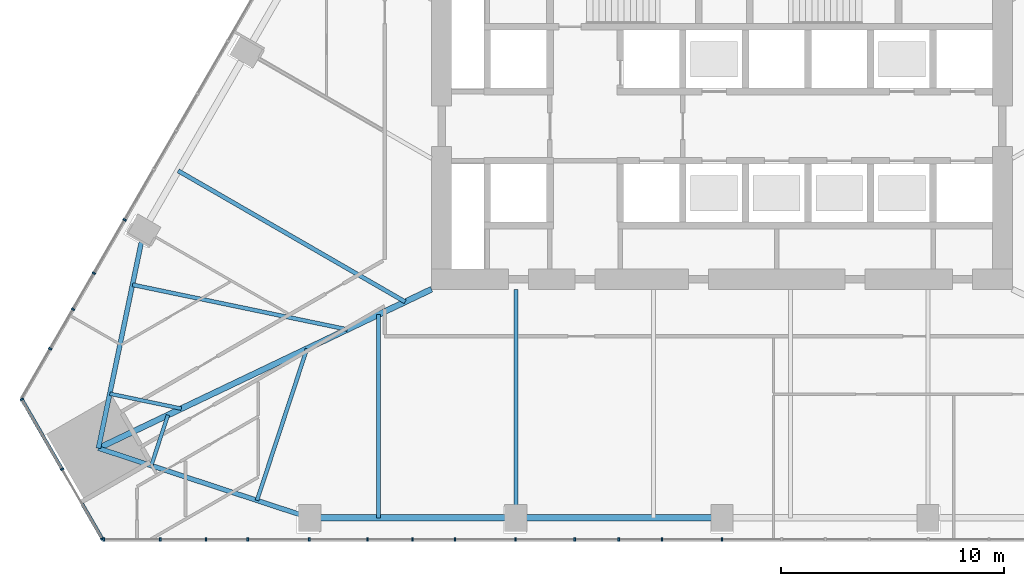
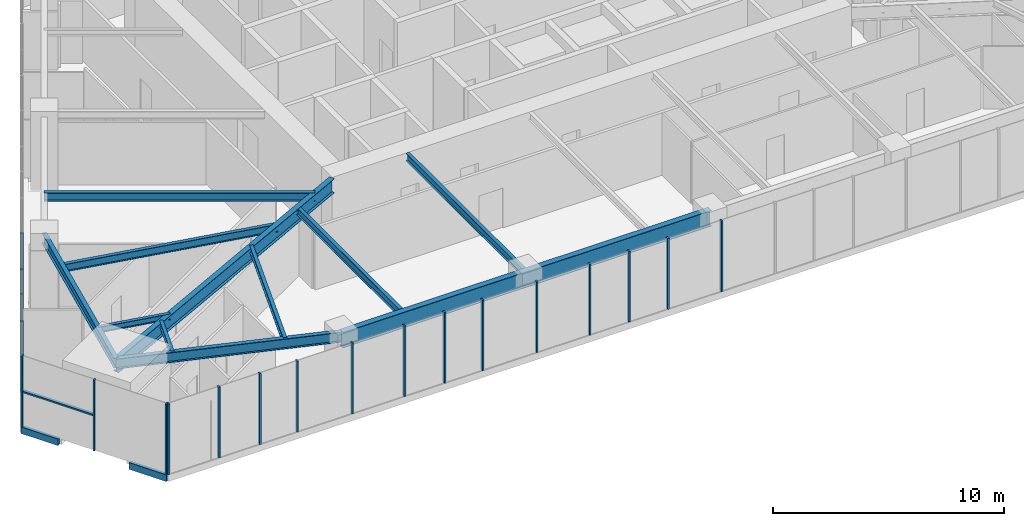
# One storey, part 2 of 19: 23 members, 11 beams, 3 elements without a shape of their own.
"""IFC4 building model written with IfcOpenShell, lengths in metres."""

import ifcopenshell
import ifcopenshell.guid

model = None  # the IFC model being written
_history = None  # IfcOwnerHistory: only IFC2X3 demands one
_inside = {}  # id of a spatial element -> (the spatial element, [elements in it])
_under = {}  # id of a project, library or spatial element -> (it, [spatial elements below it])
_declared = {}  # id of a project -> (the project, [libraries it declares])
_typed = {}  # id of a type object -> (the type object, [elements of that type])
_made_of = {}  # id of a material, layer set ... -> (it, [elements and type objects made of it])


def new_model(schema):
    """Start an empty IFC model of exactly this schema.

    Asked for "IFC4X3", IfcOpenShell would pick the latest addendum, in which some entities
    have other attributes; the version numbers below select the first issue.
    IFC2X3 requires an IfcOwnerHistory on every rooted entity: one is made here for all.
    """
    global model, _history
    if schema == "IFC4X3":
        model = ifcopenshell.file(schema_version=(4, 3, 0, 0))
    else:
        model = ifcopenshell.file(schema=schema)
    _inside.clear()
    _under.clear()
    _declared.clear()
    _typed.clear()
    _made_of.clear()
    _history = None
    if model.schema == "IFC2X3":
        org = make("IfcOrganization", Name="unknown")
        user = make(
            "IfcPersonAndOrganization",
            ThePerson=make("IfcPerson", FamilyName="unknown"),
            TheOrganization=org,
        )
        app = make(
            "IfcApplication",
            ApplicationDeveloper=org,
            Version="unknown",
            ApplicationFullName="unknown",
            ApplicationIdentifier="unknown",
        )
        _history = make(
            "IfcOwnerHistory",
            OwningUser=user,
            OwningApplication=app,
            ChangeAction="ADDED",
            CreationDate=0,
        )
    return model


def make(cls, **values):
    """One entity of the class cls with the attributes given. An attribute that is None is left unset."""
    return model.create_entity(
        cls, **{name: value for name, value in values.items() if value is not None}
    )


def rooted(cls, **values):
    """An entity with a GlobalId (a new one), such as an element, a storey or a relation."""
    return make(cls, GlobalId=ifcopenshell.guid.new(), OwnerHistory=_history, **values)


def si_unit(unit_type, name, prefix=None):
    """IfcSIUnit, for example si_unit("LENGTHUNIT", "METRE", prefix="MILLI")."""
    return make("IfcSIUnit", UnitType=unit_type, Prefix=prefix, Name=name)


def assignment(units):
    """IfcUnitAssignment: the units of a project."""
    return None if units is None else make("IfcUnitAssignment", Units=units)


def point(xyz):
    """IfcCartesianPoint."""
    return None if xyz is None else make("IfcCartesianPoint", Coordinates=xyz)


def direction(xyz):
    """IfcDirection."""
    return None if xyz is None else make("IfcDirection", DirectionRatios=xyz)


def frame(location, z_axis=None, x_axis=None):
    """IfcAxis2Placement3D, a coordinate frame: its origin and axes. An axis left out is left unset."""
    return make(
        "IfcAxis2Placement3D",
        Location=point(location),
        Axis=direction(z_axis),
        RefDirection=direction(x_axis),
    )


def frame_2d(location, x_axis=None):
    """IfcAxis2Placement2D, a coordinate frame in the plane: its origin and x axis."""
    return make(
        "IfcAxis2Placement2D", Location=point(location), RefDirection=direction(x_axis)
    )


def origin():
    """The frame at (0, 0, 0) with its axes left unset."""
    return frame((0.0, 0.0, 0.0))


def origin_2d():
    """The frame at (0, 0) in the plane with its x axis left unset."""
    return frame_2d((0.0, 0.0))


def place(relative_to, where):
    """IfcLocalPlacement: puts the frame where relative to a parent placement (None: the world)."""
    return make(
        "IfcLocalPlacement", PlacementRelTo=relative_to, RelativePlacement=where
    )


def context(
    kind, dimensions, precision=None, world=None, true_north=None, identifier=None
):
    """IfcGeometricRepresentationContext, for example the 3D "Model" context."""
    return make(
        "IfcGeometricRepresentationContext",
        ContextIdentifier=identifier,
        ContextType=kind,
        CoordinateSpaceDimension=dimensions,
        Precision=precision,
        WorldCoordinateSystem=world,
        TrueNorth=true_north,
    )


def subcontext(parent, identifier, kind, view, scale=None):
    """IfcGeometricRepresentationSubContext, for example "Body" below "Model"."""
    return make(
        "IfcGeometricRepresentationSubContext",
        ContextIdentifier=identifier,
        ContextType=kind,
        ParentContext=parent,
        TargetScale=scale,
        TargetView=view,
    )


def project(units=None, contexts=None):
    """IfcProject with its units and contexts."""
    return rooted(
        "IfcProject",
        Name="project",
        RepresentationContexts=contexts,
        UnitsInContext=assignment(units),
    )


def spatial(cls, under=None, at=None, **own):
    """A site, building, storey or space (cls), placed at a placement, below another one or the project."""
    s = rooted(cls, ObjectPlacement=at, **own)
    if under is not None:
        _under.setdefault(under.id(), (under, []))[1].append(s)
    return s


def profile(cls, at=None, kind="AREA", **sizes):
    """A parametric profile (cls). Its sizes go by their IFC names, for example OverallWidth=200.0."""
    return make(cls, ProfileType=kind, Position=at, **sizes)


def rectangle(**sizes):
    """IfcRectangleProfileDef."""
    return profile("IfcRectangleProfileDef", **sizes)


def i_section(**sizes):
    """IfcIShapeProfileDef."""
    return profile("IfcIShapeProfileDef", **sizes)


def extrude(swept, where, along, depth):
    """IfcExtrudedAreaSolid: the profile swept, set in the frame where, extruded along a direction by depth."""
    return make(
        "IfcExtrudedAreaSolid",
        SweptArea=swept,
        Position=where,
        ExtrudedDirection=direction(along),
        Depth=depth,
    )


def shape(context_of_items, identifier, shape_type, items):
    """IfcShapeRepresentation: the items that make up one representation, for example the "Body"."""
    return make(
        "IfcShapeRepresentation",
        ContextOfItems=context_of_items,
        RepresentationIdentifier=identifier,
        RepresentationType=shape_type,
        Items=items,
    )


def material(Name=None, Category=None):
    """IfcMaterial."""
    return make("IfcMaterial", Name=Name, Category=Category)


def layer(
    of_material, thickness, ventilated=None, Name=None, Category=None, Priority=None
):
    """IfcMaterialLayer: one layer of a wall or slab, of a material (None: an air gap)."""
    return make(
        "IfcMaterialLayer",
        Material=of_material,
        LayerThickness=thickness,
        IsVentilated=ventilated,
        Name=Name,
        Category=Category,
        Priority=Priority,
    )


def layer_set(layers, Name=None):
    """IfcMaterialLayerSet."""
    return make("IfcMaterialLayerSet", MaterialLayers=layers, LayerSetName=Name)


def material_profile(
    of_material, cross_section, Name=None, Category=None, Priority=None
):
    """IfcMaterialProfile: a cross section and its material."""
    return make(
        "IfcMaterialProfile",
        Name=Name,
        Material=of_material,
        Profile=cross_section,
        Priority=Priority,
        Category=Category,
    )


def profile_set(profiles, Name=None, composite=None):
    """IfcMaterialProfileSet."""
    return make(
        "IfcMaterialProfileSet",
        Name=Name,
        MaterialProfiles=profiles,
        CompositeProfile=composite,
    )


def made_of(thing, what):
    """Note that an element or type object is made of a material, layer set ...; save() writes the relation."""
    if what is not None:
        _made_of.setdefault(what.id(), (what, []))[1].append(thing)
    return thing


def type_object(cls, material=None, **own):
    """A type object (cls), such as IfcWallType, which elements share."""
    return made_of(rooted(cls, **own), material)


def element(
    cls,
    number,
    at=None,
    inside=None,
    cuts=None,
    type_object=None,
    material=None,
    context=None,
    identifier="Body",
    shape_type=None,
    held_by="IfcProductDefinitionShape",
    body=None,
    shapes=None,
    **own,
):
    """One element of the class cls, such as IfcWall. Its Tag is "e" and its number.

    at: its placement. inside: the storey or other place that contains it. cuts: it is an
    opening in that element (IfcRelVoidsElement). A single representation is given by context,
    identifier, shape_type and body (its items); several are given by shapes. held_by: the class
    of the entity that holds the representations. save() writes the other relations.
    """
    e = rooted(cls, Tag="e%d" % number, ObjectPlacement=at, **own)
    if body is not None:
        shapes = [shape(context, identifier, shape_type, body)]
    if shapes is not None:
        e.Representation = make(held_by, Representations=shapes)
    if inside is not None:
        _inside.setdefault(inside.id(), (inside, []))[1].append(e)
    if cuts is not None:
        rooted(
            "IfcRelVoidsElement", RelatingBuildingElement=cuts, RelatedOpeningElement=e
        )
    if type_object is not None:
        _typed.setdefault(type_object.id(), (type_object, []))[1].append(e)
    return made_of(e, material)


def aggregate(whole, parts):
    """IfcRelAggregates: a whole, such as a stair, and the parts it consists of."""
    return rooted("IfcRelAggregates", RelatingObject=whole, RelatedObjects=parts)


def save(model, path):
    """Write the relations noted so far, then the file.

    IfcRelAggregates (storeys below a building ...), IfcRelContainedInSpatialStructure (elements
    in a storey), IfcRelDefinesByType, IfcRelAssociatesMaterial and IfcRelDeclares: one each for
    every whole, place, type object, material and project.
    """
    for whole, parts in _under.values():
        aggregate(whole, parts)
    for where, things in _inside.values():
        rooted(
            "IfcRelContainedInSpatialStructure",
            RelatedElements=things,
            RelatingStructure=where,
        )
    for kind, things in _typed.values():
        rooted("IfcRelDefinesByType", RelatedObjects=things, RelatingType=kind)
    for what, things in _made_of.values():
        rooted("IfcRelAssociatesMaterial", RelatedObjects=things, RelatingMaterial=what)
    for by, libraries in _declared.values():
        rooted("IfcRelDeclares", RelatingContext=by, RelatedDefinitions=libraries)
    model.write(path)


model = new_model("IFC4")

# Units and contexts
model_context = context("Model", 3, precision=1e-05, world=origin(), true_north=direction((0.0, 1.0)))
body_context = subcontext(model_context, "Body", "Model", "MODEL_VIEW")
ifc_project = project(units=[si_unit("LENGTHUNIT", "METRE"), si_unit("AREAUNIT", "SQUARE_METRE"), si_unit("VOLUMEUNIT", "CUBIC_METRE"), si_unit("PLANEANGLEUNIT", "RADIAN"), si_unit("MASSUNIT", "GRAM", prefix="KILO")], contexts=[model_context])

# Site, building, storey
site_placement = place(None, origin())
site = spatial("IfcSite", under=ifc_project, at=site_placement, CompositionType="ELEMENT")
building_placement = place(site_placement, origin())
building = spatial("IfcBuilding", under=site, at=building_placement, Name="Firuza Gate Tower and Library", CompositionType="ELEMENT")
storey_placement = place(building_placement, frame((0.0, 0.0, 136.60009765625)))
storey = spatial("IfcBuildingStorey", under=building, at=storey_placement, Name="L31", CompositionType="ELEMENT", Elevation=136.60009765625)

# Curtain wall, members
ifc_material_1 = material(Name="Aluminium 6063-T6", Category="aluminium")
ifc_layer_1 = layer(ifc_material_1, 0.14990234375)
ifc_layer_set_1 = layer_set([ifc_layer_1], Name="Unitised curtain wall, offices")
curtain_wall_type_1 = type_object("IfcCurtainWallType", Name="Unitised curtain wall, offices", PredefinedType="NOTDEFINED", material=ifc_layer_set_1)
placement = place(storey_placement, origin())
curtain_wall_1 = element("IfcCurtainWall", 1, at=placement, inside=storey, type_object=curtain_wall_type_1, Name="CW1 L31 S face", PredefinedType="NOTDEFINED")
ifc_material_2 = material(Name="Aluminium 6063-T6", Category="aluminium")
ifc_material_profile_1 = material_profile(ifc_material_2, rectangle(XDim=0.14990234375, YDim=0.080078125, at=origin_2d()))
ifc_profile_set_1 = profile_set([ifc_material_profile_1], Name="Aluminium 6063-T6")
member_type_1 = type_object("IfcMemberType", Name="Curtain wall mullion 80x150", PredefinedType="MULLION", material=ifc_profile_set_1)
member_1_placement = place(storey_placement, frame((47.327392578125, 54.793212890625, 0.14990234375), z_axis=(0.0, 0.0, 1.0), x_axis=(0.0, 1.0, 0.0)))
member_1 = element("IfcMember", 2, at=member_1_placement, type_object=member_type_1, Name="Mullion", PredefinedType="MULLION", context=body_context, shape_type="SweptSolid", body=[
    extrude(rectangle(XDim=0.14990234375, YDim=0.080078125, at=origin_2d()), origin(), (0.0, 0.0, 1.0), 3.75),
])
member_2_placement = place(storey_placement, frame((51.906005859375, 54.793212890625, 0.14990234375), z_axis=(0.0, 0.0, 1.0), x_axis=(0.0, 1.0, 0.0)))
member_2 = element("IfcMember", 3, at=member_2_placement, type_object=member_type_1, Name="Mullion", PredefinedType="MULLION", context=body_context, shape_type="SweptSolid", body=[
    extrude(rectangle(XDim=0.14990234375, YDim=0.080078125, at=origin_2d()), origin(), (0.0, 0.0, 1.0), 3.75),
])
member_3_placement = place(storey_placement, frame((56.52490234375, 54.793212890625, 0.14990234375), z_axis=(0.0, 0.0, 1.0), x_axis=(0.0, 1.0, 0.0)))
member_3 = element("IfcMember", 4, at=member_3_placement, type_object=member_type_1, Name="Mullion", PredefinedType="MULLION", context=body_context, shape_type="SweptSolid", body=[
    extrude(rectangle(XDim=0.14990234375, YDim=0.080078125, at=origin_2d()), origin(), (0.0, 0.0, 1.0), 3.75),
])
member_4_placement = place(storey_placement, frame((61.1435546875, 54.793212890625, 0.14990234375), z_axis=(0.0, 0.0, 1.0), x_axis=(0.0, 1.0, 0.0)))
member_4 = element("IfcMember", 5, at=member_4_placement, type_object=member_type_1, Name="Mullion", PredefinedType="MULLION", context=body_context, shape_type="SweptSolid", body=[
    extrude(rectangle(XDim=0.14990234375, YDim=0.080078125, at=origin_2d()), origin(), (0.0, 0.0, 1.0), 3.75),
])
member_5_placement = place(storey_placement, frame((65.762451171875, 54.793212890625, 0.14990234375), z_axis=(0.0, 0.0, 1.0), x_axis=(0.0, 1.0, 0.0)))
member_5 = element("IfcMember", 6, at=member_5_placement, type_object=member_type_1, Name="Mullion", PredefinedType="MULLION", context=body_context, shape_type="SweptSolid", body=[
    extrude(rectangle(XDim=0.14990234375, YDim=0.080078125, at=origin_2d()), origin(), (0.0, 0.0, 1.0), 3.75),
])
member_6_placement = place(storey_placement, frame((70.381103515625, 54.793212890625, 0.14990234375), z_axis=(0.0, 0.0, 1.0), x_axis=(0.0, 1.0, 0.0)))
member_6 = element("IfcMember", 7, at=member_6_placement, type_object=member_type_1, Name="Mullion", PredefinedType="MULLION", context=body_context, shape_type="SweptSolid", body=[
    extrude(rectangle(XDim=0.14990234375, YDim=0.080078125, at=origin_2d()), origin(), (0.0, 0.0, 1.0), 3.75),
])
member_7_placement = place(storey_placement, frame((75.0, 54.793212890625, 0.14990234375), z_axis=(0.0, 0.0, 1.0), x_axis=(0.0, 1.0, 0.0)))
member_7 = element("IfcMember", 8, at=member_7_placement, type_object=member_type_1, Name="Mullion", PredefinedType="MULLION", context=body_context, shape_type="SweptSolid", body=[
    extrude(rectangle(XDim=0.14990234375, YDim=0.080078125, at=origin_2d()), origin(), (0.0, 0.0, 1.0), 3.75),
])
member_8_placement = place(storey_placement, frame((49.86328125, 54.793212890625, 0.14990234375), z_axis=(0.0, 0.0, 1.0), x_axis=(0.0, 1.0, 0.0)))
member_8 = element("IfcMember", 9, at=member_8_placement, type_object=member_type_1, Name="Mullion", PredefinedType="MULLION", context=body_context, shape_type="SweptSolid", body=[
    extrude(rectangle(XDim=0.14990234375, YDim=0.080078125, at=origin_2d()), origin(), (0.0, 0.0, 1.0), 3.75),
])
member_9_placement = place(storey_placement, frame((53.775390625, 54.793212890625, 0.14990234375), z_axis=(0.0, 0.0, 1.0), x_axis=(0.0, 1.0, 0.0)))
member_9 = element("IfcMember", 10, at=member_9_placement, type_object=member_type_1, Name="Mullion", PredefinedType="MULLION", context=body_context, shape_type="SweptSolid", body=[
    extrude(rectangle(XDim=0.14990234375, YDim=0.080078125, at=origin_2d()), origin(), (0.0, 0.0, 1.0), 3.75),
])
member_10_placement = place(storey_placement, frame((59.135498046875, 54.793212890625, 0.14990234375), z_axis=(0.0, 0.0, 1.0), x_axis=(0.0, 1.0, 0.0)))
member_10 = element("IfcMember", 11, at=member_10_placement, type_object=member_type_1, Name="Mullion", PredefinedType="MULLION", context=body_context, shape_type="SweptSolid", body=[
    extrude(rectangle(XDim=0.14990234375, YDim=0.080078125, at=origin_2d()), origin(), (0.0, 0.0, 1.0), 3.75),
])
member_11_placement = place(storey_placement, frame((63.047607421875, 54.793212890625, 0.14990234375), z_axis=(0.0, 0.0, 1.0), x_axis=(0.0, 1.0, 0.0)))
member_11 = element("IfcMember", 12, at=member_11_placement, type_object=member_type_1, Name="Mullion", PredefinedType="MULLION", context=body_context, shape_type="SweptSolid", body=[
    extrude(rectangle(XDim=0.14990234375, YDim=0.080078125, at=origin_2d()), origin(), (0.0, 0.0, 1.0), 3.75),
])
member_12_placement = place(storey_placement, frame((68.40771484375, 54.793212890625, 0.14990234375), z_axis=(0.0, 0.0, 1.0), x_axis=(0.0, 1.0, 0.0)))
member_12 = element("IfcMember", 13, at=member_12_placement, type_object=member_type_1, Name="Mullion", PredefinedType="MULLION", context=body_context, shape_type="SweptSolid", body=[
    extrude(rectangle(XDim=0.14990234375, YDim=0.080078125, at=origin_2d()), origin(), (0.0, 0.0, 1.0), 3.75),
])
member_13_placement = place(storey_placement, frame((72.320068359375, 54.793212890625, 0.14990234375), z_axis=(0.0, 0.0, 1.0), x_axis=(0.0, 1.0, 0.0)))
member_13 = element("IfcMember", 14, at=member_13_placement, type_object=member_type_1, Name="Mullion", PredefinedType="MULLION", context=body_context, shape_type="SweptSolid", body=[
    extrude(rectangle(XDim=0.14990234375, YDim=0.080078125, at=origin_2d()), origin(), (0.0, 0.0, 1.0), 3.75),
])
aggregate(curtain_wall_1, [member_1, member_2, member_3, member_4, member_5, member_6, member_7, member_8, member_9, member_10, member_11, member_12, member_13])

curtain_wall_2 = element("IfcCurtainWall", 15, at=placement, inside=storey, type_object=curtain_wall_type_1, Name="CW1 L31 W face", PredefinedType="NOTDEFINED")
member_14_placement = place(storey_placement, frame((48.2626953125, 69.103515625, 0.14990234375), z_axis=(0.0, 0.0, 1.0), x_axis=(0.866025403784, -0.5, 0.0)))
member_14 = element("IfcMember", 16, at=member_14_placement, type_object=member_type_1, Name="Mullion", PredefinedType="MULLION", context=body_context, shape_type="SweptSolid", body=[
    extrude(rectangle(XDim=0.14990234375, YDim=0.080078125, at=origin_2d()), origin(), (0.0, 0.0, 1.0), 3.75),
])
member_15_placement = place(storey_placement, frame((45.953369140625, 65.103515625, 0.14990234375), z_axis=(0.0, 0.0, 1.0), x_axis=(0.866025403784, -0.5, 0.0)))
member_15 = element("IfcMember", 17, at=member_15_placement, type_object=member_type_1, Name="Mullion", PredefinedType="MULLION", context=body_context, shape_type="SweptSolid", body=[
    extrude(rectangle(XDim=0.14990234375, YDim=0.080078125, at=origin_2d()), origin(), (0.0, 0.0, 1.0), 3.75),
])
member_16_placement = place(storey_placement, frame((46.887939453125, 66.722412109375, 0.14990234375), z_axis=(0.0, 0.0, 1.0), x_axis=(0.866025403784, -0.5, 0.0)))
member_16 = element("IfcMember", 18, at=member_16_placement, type_object=member_type_1, Name="Mullion", PredefinedType="MULLION", context=body_context, shape_type="SweptSolid", body=[
    extrude(rectangle(XDim=0.14990234375, YDim=0.080078125, at=origin_2d()), origin(), (0.0, 0.0, 1.0), 3.75),
])
member_17_placement = place(storey_placement, frame((44.931884765625, 63.334228515625, 0.14990234375), z_axis=(0.0, 0.0, 1.0), x_axis=(0.866025403784, -0.5, 0.0)))
member_17 = element("IfcMember", 19, at=member_17_placement, type_object=member_type_1, Name="Mullion", PredefinedType="MULLION", context=body_context, shape_type="SweptSolid", body=[
    extrude(rectangle(XDim=0.14990234375, YDim=0.080078125, at=origin_2d()), origin(), (0.0, 0.0, 1.0), 3.75),
])
aggregate(curtain_wall_2, [member_14, member_15, member_16, member_17])

ifc_material_3 = material(Name="Aluminium 6063-T6", Category="aluminium")
ifc_layer_2 = layer(ifc_material_3, 0.14990234375)
ifc_layer_set_2 = layer_set([ifc_layer_2], Name="Corner curtain wall, chamfers")
curtain_wall_type_2 = type_object("IfcCurtainWallType", Name="Corner curtain wall, chamfers", PredefinedType="NOTDEFINED", material=ifc_layer_set_2)
curtain_wall_3 = element("IfcCurtainWall", 20, at=placement, inside=storey, type_object=curtain_wall_type_2, Name="CW4 L31 SW corner", PredefinedType="NOTDEFINED")
member_18_placement = place(storey_placement, frame((43.6640625, 61.06884765625, 0.14990234375), z_axis=(0.0, 0.0, 1.0), x_axis=(0.866025403784, 0.5, 0.0)))
member_18 = element("IfcMember", 21, at=member_18_placement, type_object=member_type_1, Name="Mullion", PredefinedType="MULLION", context=body_context, shape_type="SweptSolid", body=[
    extrude(rectangle(XDim=0.14990234375, YDim=0.080078125, at=origin_2d()), origin(), (0.0, 0.0, 1.0), 3.75),
])
member_19_placement = place(storey_placement, frame((45.465576171875, 57.9482421875, 0.14990234375), z_axis=(0.0, 0.0, 1.0), x_axis=(0.866025403784, 0.5, 0.0)))
member_19 = element("IfcMember", 22, at=member_19_placement, type_object=member_type_1, Name="Mullion", PredefinedType="MULLION", context=body_context, shape_type="SweptSolid", body=[
    extrude(rectangle(XDim=0.14990234375, YDim=0.080078125, at=origin_2d()), origin(), (0.0, 0.0, 1.0), 3.75),
])
member_20_placement = place(storey_placement, frame((47.267333984375, 54.827880859375, 0.14990234375), z_axis=(0.0, 0.0, 1.0), x_axis=(0.866025403784, 0.5, 0.0)))
member_20 = element("IfcMember", 23, at=member_20_placement, type_object=member_type_1, Name="Mullion", PredefinedType="MULLION", context=body_context, shape_type="SweptSolid", body=[
    extrude(rectangle(XDim=0.14990234375, YDim=0.080078125, at=origin_2d()), origin(), (0.0, 0.0, 1.0), 3.75),
])
ifc_material_4 = material(Name="Aluminium 6063-T6", Category="aluminium")
ifc_material_profile_2 = material_profile(ifc_material_4, rectangle(XDim=0.14990234375, YDim=0.35009765625, at=origin_2d()))
ifc_profile_set_2 = profile_set([ifc_material_profile_2], Name="Aluminium 6063-T6")
member_type_2 = type_object("IfcMemberType", Name="Curtain wall transom 350x150", PredefinedType="USERDEFINED", material=ifc_profile_set_2)
member_21_placement = place(storey_placement, frame((43.64404296875, 61.103515625, -0.025146484375), z_axis=(0.499971966783, -0.866041588165, 0.0), x_axis=(0.866041588165, 0.499971966783, 0.0)))
member_21 = element("IfcMember", 24, at=member_21_placement, type_object=member_type_2, Name="Transom", ObjectType="TRANSOM", PredefinedType="USERDEFINED", context=body_context, shape_type="SweptSolid", body=[
    extrude(rectangle(XDim=0.14990234375, YDim=0.35009765625, at=origin_2d()), origin(), (0.0, 0.0, 1.0), 1.86328125),
])
member_22_placement = place(storey_placement, frame((46.35546875, 56.406982421875, -0.025146484375), z_axis=(0.500070225731, -0.865984855143, 0.0), x_axis=(0.865984855143, 0.500070225731, 0.0)))
member_22 = element("IfcMember", 25, at=member_22_placement, type_object=member_type_2, Name="Transom", ObjectType="TRANSOM", PredefinedType="USERDEFINED", context=body_context, shape_type="SweptSolid", body=[
    extrude(rectangle(XDim=0.14990234375, YDim=0.35009765625, at=origin_2d()), origin(), (0.0, 0.0, 1.0), 1.863525390625),
])
ifc_material_5 = material(Name="Aluminium 6063-T6", Category="aluminium")
ifc_material_profile_3 = material_profile(ifc_material_5, rectangle(XDim=0.14990234375, YDim=0.080078125, at=origin_2d()))
ifc_profile_set_3 = profile_set([ifc_material_profile_3], Name="Aluminium 6063-T6")
member_type_3 = type_object("IfcMemberType", Name="Curtain wall transom 80x150", PredefinedType="USERDEFINED", material=ifc_profile_set_3)
member_23_placement = place(storey_placement, frame((43.6640625, 61.06884765625, 2.02490234375), z_axis=(0.49996364809, -0.866046390552, 0.0), x_axis=(0.866046390552, 0.49996364809, 0.0)))
member_23 = element("IfcMember", 26, at=member_23_placement, type_object=member_type_3, Name="Transom", ObjectType="TRANSOM", PredefinedType="USERDEFINED", context=body_context, shape_type="SweptSolid", body=[
    extrude(rectangle(XDim=0.14990234375, YDim=0.080078125, at=origin_2d()), origin(), (0.0, 0.0, 1.0), 3.563232421875),
])
aggregate(curtain_wall_3, [member_18, member_19, member_20, member_21, member_22, member_23])

# Beams
ifc_material_6 = material(Name="Steel S355", Category="steel")
ifc_material_profile_4 = material_profile(ifc_material_6, i_section(OverallWidth=0.1650390625, OverallDepth=0.31005859375, WebThickness=0.005859375, FlangeThickness=0.009765625, at=origin_2d()))
ifc_profile_set_4 = profile_set([ifc_material_profile_4], Name="Steel S355")
beam_type_1 = type_object("IfcBeamType", Name="W310x39 Floor beam", PredefinedType="JOIST", material=ifc_profile_set_4)
beam_1_placement = place(storey_placement, frame((47.597412109375, 61.32470703125, 3.744873046875), z_axis=(0.978986004268, -0.203927446527, 0.0), x_axis=(0.203927446527, 0.978986004268, 0.0)))
element("IfcBeam", 27, at=beam_1_placement, inside=storey, type_object=beam_type_1, Name="Floor beam L31 s01", PredefinedType="JOIST", context=body_context, shape_type="SweptSolid", body=[
    extrude(i_section(OverallWidth=0.1650390625, OverallDepth=0.31005859375, WebThickness=0.005859375, FlangeThickness=0.009765625, at=origin_2d()), origin(), (0.0, 0.0, 1.0), 3.273193359375),
])
beam_2_placement = place(storey_placement, frame((49.45556640625, 58.1064453125, 3.744873046875), z_axis=(0.312876835731, 0.949793706898, 0.0), x_axis=(-0.949793706898, 0.312876835731, 0.0)))
element("IfcBeam", 28, at=beam_2_placement, inside=storey, type_object=beam_type_1, Name="Floor beam L31 s10", PredefinedType="JOIST", context=body_context, shape_type="SweptSolid", body=[
    extrude(i_section(OverallWidth=0.1650390625, OverallDepth=0.31005859375, WebThickness=0.005859375, FlangeThickness=0.009765625, at=origin_2d()), origin(), (0.0, 0.0, 1.0), 2.3837890625),
])
ifc_material_7 = material(Name="Steel S355", Category="steel")
ifc_material_profile_5 = material_profile(ifc_material_7, i_section(OverallWidth=0.1708984375, OverallDepth=0.35498046875, WebThickness=0.007080078125, FlangeThickness=0.01171875, at=origin_2d()))
ifc_profile_set_5 = profile_set([ifc_material_profile_5], Name="Steel S355")
beam_type_2 = type_object("IfcBeamType", Name="W360x51 Floor beam", PredefinedType="JOIST", material=ifc_profile_set_5)
beam_3_placement = place(storey_placement, frame((54.187744140625, 56.547607421875, 3.722412109375), z_axis=(0.312876835731, 0.949793706898, 0.0), x_axis=(-0.949793706898, 0.312876835731, 0.0)))
element("IfcBeam", 29, at=beam_3_placement, inside=storey, type_object=beam_type_2, Name="Floor beam L31 s11", PredefinedType="JOIST", context=body_context, shape_type="SweptSolid", body=[
    extrude(i_section(OverallWidth=0.1708984375, OverallDepth=0.35498046875, WebThickness=0.007080078125, FlangeThickness=0.01171875, at=origin_2d()), origin(), (0.0, 0.0, 1.0), 7.151611328125),
])
ifc_material_8 = material(Name="Steel S355", Category="steel")
ifc_material_profile_6 = material_profile(ifc_material_8, i_section(OverallWidth=0.177978515625, OverallDepth=0.406982421875, WebThickness=0.0078125, FlangeThickness=0.0126953125, at=origin_2d()))
ifc_profile_set_6 = profile_set([ifc_material_profile_6], Name="Steel S355")
beam_type_3 = type_object("IfcBeamType", Name="W410x60 Floor beam", PredefinedType="JOIST", material=ifc_profile_set_6)
beam_4_placement = place(storey_placement, frame((48.613525390625, 66.2021484375, 3.6962890625), z_axis=(0.978986004268, -0.203927446527, 0.0), x_axis=(0.203927446527, 0.978986004268, 0.0)))
element("IfcBeam", 30, at=beam_4_placement, inside=storey, type_object=beam_type_3, Name="Floor beam L31 s00", PredefinedType="JOIST", context=body_context, shape_type="SweptSolid", body=[
    extrude(i_section(OverallWidth=0.177978515625, OverallDepth=0.406982421875, WebThickness=0.0078125, FlangeThickness=0.0126953125, at=origin_2d()), origin(), (0.0, 0.0, 1.0), 9.8193359375),
])
beam_5_placement = place(storey_placement, frame((59.628173828125, 55.76806640625, 3.6962890625), z_axis=(0.0, 1.0, 0.0), x_axis=(-1.0, 0.0, 0.0)))
element("IfcBeam", 31, at=beam_5_placement, inside=storey, type_object=beam_type_3, Name="Floor beam L31 s20", PredefinedType="JOIST", context=body_context, shape_type="SweptSolid", body=[
    extrude(i_section(OverallWidth=0.177978515625, OverallDepth=0.406982421875, WebThickness=0.0078125, FlangeThickness=0.0126953125, at=origin_2d()), origin(), (0.0, 0.0, 1.0), 9.100341796875),
])
beam_6_placement = place(storey_placement, frame((65.77685546875, 55.76806640625, 3.6962890625), z_axis=(0.0, 1.0, 0.0), x_axis=(-1.0, 0.0, 0.0)))
element("IfcBeam", 32, at=beam_6_placement, inside=storey, type_object=beam_type_3, Name="Floor beam L31 s21", PredefinedType="JOIST", context=body_context, shape_type="SweptSolid", body=[
    extrude(i_section(OverallWidth=0.177978515625, OverallDepth=0.406982421875, WebThickness=0.0078125, FlangeThickness=0.0126953125, at=origin_2d()), origin(), (0.0, 0.0, 1.0), 10.23193359375),
])
ifc_material_9 = material(Name="Steel S355", Category="steel")
ifc_material_profile_7 = material_profile(ifc_material_9, i_section(OverallWidth=0.18994140625, OverallDepth=0.45703125, WebThickness=0.009033203125, FlangeThickness=0.014404296875, at=origin_2d()))
ifc_profile_set_7 = profile_set([ifc_material_profile_7], Name="Steel S355")
beam_type_4 = type_object("IfcBeamType", Name="W460x74 Floor beam", PredefinedType="JOIST", material=ifc_profile_set_7)
beam_7_placement = place(storey_placement, frame((50.65869140625, 71.303466796875, 3.67138671875), z_axis=(0.866028270824, -0.499995034109, 0.0), x_axis=(0.499995034109, 0.866028270824, 0.0)))
element("IfcBeam", 33, at=beam_7_placement, inside=storey, type_object=beam_type_4, Name="Floor beam L31 s85", PredefinedType="JOIST", context=body_context, shape_type="SweptSolid", body=[
    extrude(i_section(OverallWidth=0.18994140625, OverallDepth=0.45703125, WebThickness=0.009033203125, FlangeThickness=0.014404296875, at=origin_2d()), origin(), (0.0, 0.0, 1.0), 11.73291015625),
])
ifc_material_10 = material(Name="Steel S355", Category="steel")
ifc_material_profile_8 = material_profile(ifc_material_10, i_section(OverallWidth=0.212890625, OverallDepth=0.5390625, WebThickness=0.01171875, FlangeThickness=0.018798828125, at=origin_2d()))
ifc_profile_set_8 = profile_set([ifc_material_profile_8], Name="Steel S355")
beam_type_5 = type_object("IfcBeamType", Name="W530x109 Edge beam", PredefinedType="SPANDREL", material=ifc_profile_set_8)
beam_8_placement = place(storey_placement, frame((49.12158203125, 68.64111328125, 3.63037109375), z_axis=(-0.203940556749, -0.978983273255, 0.0), x_axis=(0.978983273255, -0.203940556749, 0.0)))
element("IfcBeam", 34, at=beam_8_placement, inside=storey, type_object=beam_type_5, Name="Edge beam L31 e00", PredefinedType="SPANDREL", context=body_context, shape_type="SweptSolid", body=[
    extrude(i_section(OverallWidth=0.212890625, OverallDepth=0.5390625, WebThickness=0.01171875, FlangeThickness=0.018798828125, at=origin_2d()), origin(), (0.0, 0.0, 1.0), 9.96484375),
])
beam_9_placement = place(storey_placement, frame((47.08935546875, 58.8857421875, 3.63037109375), z_axis=(0.949794609737, -0.312874094989, 0.0), x_axis=(0.312874094989, 0.949794609737, 0.0)))
element("IfcBeam", 35, at=beam_9_placement, inside=storey, type_object=beam_type_5, Name="Edge beam L31 e10", PredefinedType="SPANDREL", context=body_context, shape_type="SweptSolid", body=[
    extrude(i_section(OverallWidth=0.212890625, OverallDepth=0.5390625, WebThickness=0.01171875, FlangeThickness=0.018798828125, at=origin_2d()), origin(), (0.0, 0.0, 1.0), 9.964599609375),
])
ifc_material_11 = material(Name="Steel S355", Category="steel")
ifc_material_profile_9 = material_profile(ifc_material_11, i_section(OverallWidth=0.264892578125, OverallDepth=0.7529296875, WebThickness=0.01318359375, FlangeThickness=0.01708984375, at=origin_2d()))
ifc_profile_set_9 = profile_set([ifc_material_profile_9], Name="Steel S355")
beam_type_6 = type_object("IfcBeamType", Name="W760x147 Girder", PredefinedType="BEAM", material=ifc_profile_set_9)
beam_10_placement = place(storey_placement, frame((47.08935546875, 58.8857421875, 3.5234375), z_axis=(0.902532470382, 0.430621806119, 0.0), x_axis=(-0.430621806119, 0.902532470382, 0.0)))
element("IfcBeam", 36, at=beam_10_placement, inside=storey, type_object=beam_type_6, Name="Girder L31 gSW", PredefinedType="BEAM", context=body_context, shape_type="SweptSolid", body=[
    extrude(i_section(OverallWidth=0.264892578125, OverallDepth=0.7529296875, WebThickness=0.01318359375, FlangeThickness=0.01708984375, at=origin_2d()), origin(), (0.0, 0.0, 1.0), 16.52099609375),
])
ifc_material_12 = material(Name="Steel S355", Category="steel")
ifc_material_profile_10 = material_profile(ifc_material_12, i_section(OverallWidth=0.2919921875, OverallDepth=0.8349609375, WebThickness=0.013916015625, FlangeThickness=0.018798828125, at=origin_2d()))
ifc_profile_set_10 = profile_set([ifc_material_profile_10], Name="Steel S355")
beam_type_7 = type_object("IfcBeamType", Name="W840x176 Edge beam", PredefinedType="SPANDREL", material=ifc_profile_set_10)
beam_11_placement = place(storey_placement, frame((56.5537109375, 55.76806640625, 3.482421875), z_axis=(1.0, 0.0, 0.0), x_axis=(0.0, 1.0, 0.0)))
element("IfcBeam", 37, at=beam_11_placement, inside=storey, type_object=beam_type_7, Name="Edge beam L31 e20", PredefinedType="SPANDREL", context=body_context, shape_type="SweptSolid", body=[
    extrude(i_section(OverallWidth=0.2919921875, OverallDepth=0.8349609375, WebThickness=0.013916015625, FlangeThickness=0.018798828125, at=origin_2d()), origin(), (0.0, 0.0, 1.0), 18.4462890625),
])

save(model, "model.ifc")
